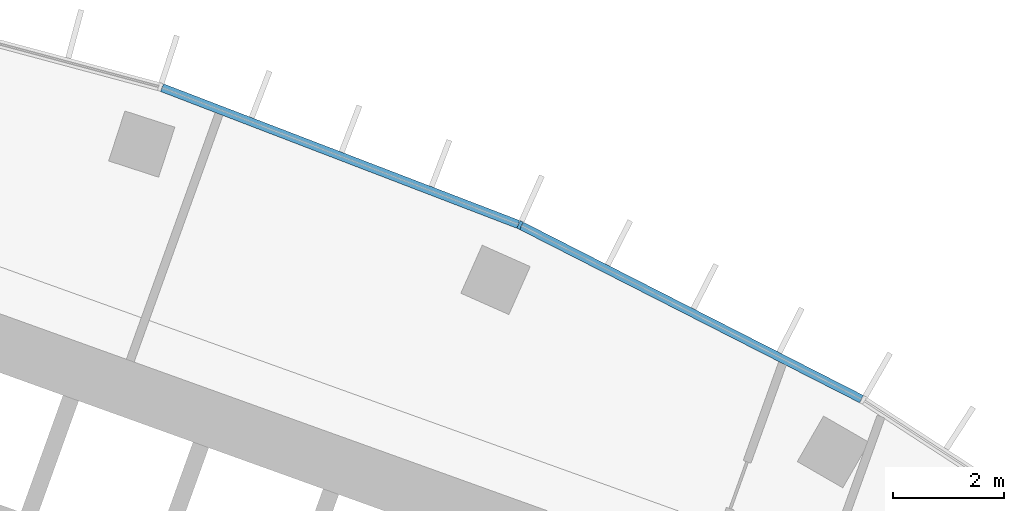
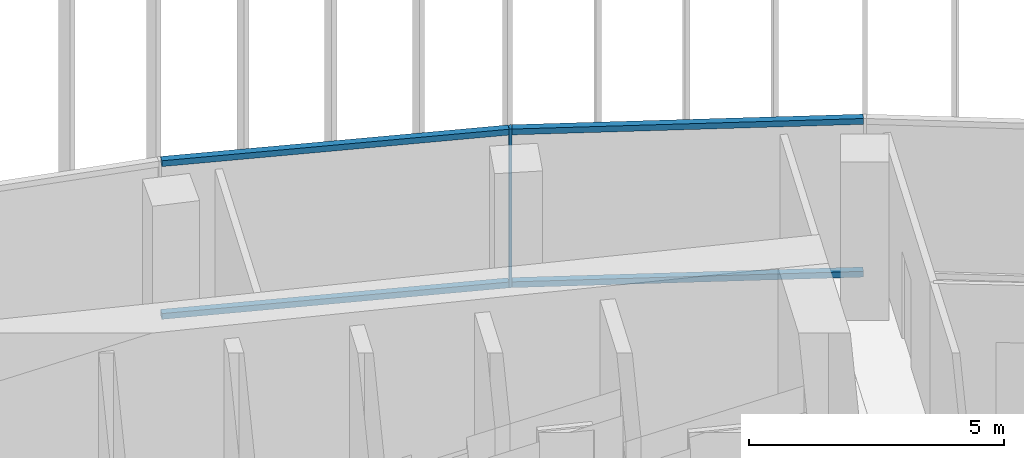
# One storey, part 10 of 19: 5 members, 1 element without a shape of its own.
"""IFC4 building model written with IfcOpenShell, lengths in metres."""

import ifcopenshell
import ifcopenshell.guid

model = None  # the IFC model being written
_history = None  # IfcOwnerHistory: only IFC2X3 demands one
_inside = {}  # id of a spatial element -> (the spatial element, [elements in it])
_under = {}  # id of a project, library or spatial element -> (it, [spatial elements below it])
_declared = {}  # id of a project -> (the project, [libraries it declares])
_typed = {}  # id of a type object -> (the type object, [elements of that type])
_made_of = {}  # id of a material, layer set ... -> (it, [elements and type objects made of it])


def new_model(schema):
    """Start an empty IFC model of exactly this schema.

    Asked for "IFC4X3", IfcOpenShell would pick the latest addendum, in which some entities
    have other attributes; the version numbers below select the first issue.
    IFC2X3 requires an IfcOwnerHistory on every rooted entity: one is made here for all.
    """
    global model, _history
    if schema == "IFC4X3":
        model = ifcopenshell.file(schema_version=(4, 3, 0, 0))
    else:
        model = ifcopenshell.file(schema=schema)
    _inside.clear()
    _under.clear()
    _declared.clear()
    _typed.clear()
    _made_of.clear()
    _history = None
    if model.schema == "IFC2X3":
        org = make("IfcOrganization", Name="unknown")
        user = make(
            "IfcPersonAndOrganization",
            ThePerson=make("IfcPerson", FamilyName="unknown"),
            TheOrganization=org,
        )
        app = make(
            "IfcApplication",
            ApplicationDeveloper=org,
            Version="unknown",
            ApplicationFullName="unknown",
            ApplicationIdentifier="unknown",
        )
        _history = make(
            "IfcOwnerHistory",
            OwningUser=user,
            OwningApplication=app,
            ChangeAction="ADDED",
            CreationDate=0,
        )
    return model


def make(cls, **values):
    """One entity of the class cls with the attributes given. An attribute that is None is left unset."""
    return model.create_entity(
        cls, **{name: value for name, value in values.items() if value is not None}
    )


def rooted(cls, **values):
    """An entity with a GlobalId (a new one), such as an element, a storey or a relation."""
    return make(cls, GlobalId=ifcopenshell.guid.new(), OwnerHistory=_history, **values)


def si_unit(unit_type, name, prefix=None):
    """IfcSIUnit, for example si_unit("LENGTHUNIT", "METRE", prefix="MILLI")."""
    return make("IfcSIUnit", UnitType=unit_type, Prefix=prefix, Name=name)


def assignment(units):
    """IfcUnitAssignment: the units of a project."""
    return None if units is None else make("IfcUnitAssignment", Units=units)


def point(xyz):
    """IfcCartesianPoint."""
    return None if xyz is None else make("IfcCartesianPoint", Coordinates=xyz)


def direction(xyz):
    """IfcDirection."""
    return None if xyz is None else make("IfcDirection", DirectionRatios=xyz)


def frame(location, z_axis=None, x_axis=None):
    """IfcAxis2Placement3D, a coordinate frame: its origin and axes. An axis left out is left unset."""
    return make(
        "IfcAxis2Placement3D",
        Location=point(location),
        Axis=direction(z_axis),
        RefDirection=direction(x_axis),
    )


def frame_2d(location, x_axis=None):
    """IfcAxis2Placement2D, a coordinate frame in the plane: its origin and x axis."""
    return make(
        "IfcAxis2Placement2D", Location=point(location), RefDirection=direction(x_axis)
    )


def origin():
    """The frame at (0, 0, 0) with its axes left unset."""
    return frame((0.0, 0.0, 0.0))


def origin_2d():
    """The frame at (0, 0) in the plane with its x axis left unset."""
    return frame_2d((0.0, 0.0))


def place(relative_to, where):
    """IfcLocalPlacement: puts the frame where relative to a parent placement (None: the world)."""
    return make(
        "IfcLocalPlacement", PlacementRelTo=relative_to, RelativePlacement=where
    )


def context(
    kind, dimensions, precision=None, world=None, true_north=None, identifier=None
):
    """IfcGeometricRepresentationContext, for example the 3D "Model" context."""
    return make(
        "IfcGeometricRepresentationContext",
        ContextIdentifier=identifier,
        ContextType=kind,
        CoordinateSpaceDimension=dimensions,
        Precision=precision,
        WorldCoordinateSystem=world,
        TrueNorth=true_north,
    )


def subcontext(parent, identifier, kind, view, scale=None):
    """IfcGeometricRepresentationSubContext, for example "Body" below "Model"."""
    return make(
        "IfcGeometricRepresentationSubContext",
        ContextIdentifier=identifier,
        ContextType=kind,
        ParentContext=parent,
        TargetScale=scale,
        TargetView=view,
    )


def project(units=None, contexts=None):
    """IfcProject with its units and contexts."""
    return rooted(
        "IfcProject",
        Name="project",
        RepresentationContexts=contexts,
        UnitsInContext=assignment(units),
    )


def spatial(cls, under=None, at=None, **own):
    """A site, building, storey or space (cls), placed at a placement, below another one or the project."""
    s = rooted(cls, ObjectPlacement=at, **own)
    if under is not None:
        _under.setdefault(under.id(), (under, []))[1].append(s)
    return s


def profile(cls, at=None, kind="AREA", **sizes):
    """A parametric profile (cls). Its sizes go by their IFC names, for example OverallWidth=200.0."""
    return make(cls, ProfileType=kind, Position=at, **sizes)


def rectangle(**sizes):
    """IfcRectangleProfileDef."""
    return profile("IfcRectangleProfileDef", **sizes)


def extrude(swept, where, along, depth):
    """IfcExtrudedAreaSolid: the profile swept, set in the frame where, extruded along a direction by depth."""
    return make(
        "IfcExtrudedAreaSolid",
        SweptArea=swept,
        Position=where,
        ExtrudedDirection=direction(along),
        Depth=depth,
    )


def shape(context_of_items, identifier, shape_type, items):
    """IfcShapeRepresentation: the items that make up one representation, for example the "Body"."""
    return make(
        "IfcShapeRepresentation",
        ContextOfItems=context_of_items,
        RepresentationIdentifier=identifier,
        RepresentationType=shape_type,
        Items=items,
    )


def material(Name=None, Category=None):
    """IfcMaterial."""
    return make("IfcMaterial", Name=Name, Category=Category)


def layer(
    of_material, thickness, ventilated=None, Name=None, Category=None, Priority=None
):
    """IfcMaterialLayer: one layer of a wall or slab, of a material (None: an air gap)."""
    return make(
        "IfcMaterialLayer",
        Material=of_material,
        LayerThickness=thickness,
        IsVentilated=ventilated,
        Name=Name,
        Category=Category,
        Priority=Priority,
    )


def layer_set(layers, Name=None):
    """IfcMaterialLayerSet."""
    return make("IfcMaterialLayerSet", MaterialLayers=layers, LayerSetName=Name)


def material_profile(
    of_material, cross_section, Name=None, Category=None, Priority=None
):
    """IfcMaterialProfile: a cross section and its material."""
    return make(
        "IfcMaterialProfile",
        Name=Name,
        Material=of_material,
        Profile=cross_section,
        Priority=Priority,
        Category=Category,
    )


def profile_set(profiles, Name=None, composite=None):
    """IfcMaterialProfileSet."""
    return make(
        "IfcMaterialProfileSet",
        Name=Name,
        MaterialProfiles=profiles,
        CompositeProfile=composite,
    )


def made_of(thing, what):
    """Note that an element or type object is made of a material, layer set ...; save() writes the relation."""
    if what is not None:
        _made_of.setdefault(what.id(), (what, []))[1].append(thing)
    return thing


def type_object(cls, material=None, **own):
    """A type object (cls), such as IfcWallType, which elements share."""
    return made_of(rooted(cls, **own), material)


def element(
    cls,
    number,
    at=None,
    inside=None,
    cuts=None,
    type_object=None,
    material=None,
    context=None,
    identifier="Body",
    shape_type=None,
    held_by="IfcProductDefinitionShape",
    body=None,
    shapes=None,
    **own,
):
    """One element of the class cls, such as IfcWall. Its Tag is "e" and its number.

    at: its placement. inside: the storey or other place that contains it. cuts: it is an
    opening in that element (IfcRelVoidsElement). A single representation is given by context,
    identifier, shape_type and body (its items); several are given by shapes. held_by: the class
    of the entity that holds the representations. save() writes the other relations.
    """
    e = rooted(cls, Tag="e%d" % number, ObjectPlacement=at, **own)
    if body is not None:
        shapes = [shape(context, identifier, shape_type, body)]
    if shapes is not None:
        e.Representation = make(held_by, Representations=shapes)
    if inside is not None:
        _inside.setdefault(inside.id(), (inside, []))[1].append(e)
    if cuts is not None:
        rooted(
            "IfcRelVoidsElement", RelatingBuildingElement=cuts, RelatedOpeningElement=e
        )
    if type_object is not None:
        _typed.setdefault(type_object.id(), (type_object, []))[1].append(e)
    return made_of(e, material)


def aggregate(whole, parts):
    """IfcRelAggregates: a whole, such as a stair, and the parts it consists of."""
    return rooted("IfcRelAggregates", RelatingObject=whole, RelatedObjects=parts)


def save(model, path):
    """Write the relations noted so far, then the file.

    IfcRelAggregates (storeys below a building ...), IfcRelContainedInSpatialStructure (elements
    in a storey), IfcRelDefinesByType, IfcRelAssociatesMaterial and IfcRelDeclares: one each for
    every whole, place, type object, material and project.
    """
    for whole, parts in _under.values():
        aggregate(whole, parts)
    for where, things in _inside.values():
        rooted(
            "IfcRelContainedInSpatialStructure",
            RelatedElements=things,
            RelatingStructure=where,
        )
    for kind, things in _typed.values():
        rooted("IfcRelDefinesByType", RelatedObjects=things, RelatingType=kind)
    for what, things in _made_of.values():
        rooted("IfcRelAssociatesMaterial", RelatedObjects=things, RelatingMaterial=what)
    for by, libraries in _declared.values():
        rooted("IfcRelDeclares", RelatingContext=by, RelatedDefinitions=libraries)
    model.write(path)


model = new_model("IFC4")

# Units and contexts
model_context = context("Model", 3, precision=1e-05, world=origin(), true_north=direction((0.0, 1.0)))
body_context = subcontext(model_context, "Body", "Model", "MODEL_VIEW")
ifc_project = project(units=[si_unit("LENGTHUNIT", "METRE"), si_unit("AREAUNIT", "SQUARE_METRE"), si_unit("VOLUMEUNIT", "CUBIC_METRE"), si_unit("PLANEANGLEUNIT", "RADIAN"), si_unit("MASSUNIT", "GRAM", prefix="KILO")], contexts=[model_context])

# Site, building, storey
site_placement = place(None, origin())
site = spatial("IfcSite", under=ifc_project, at=site_placement, CompositionType="ELEMENT")
building_placement = place(site_placement, origin())
building = spatial("IfcBuilding", under=site, at=building_placement, Name="Stone Belt Terrace Tower", CompositionType="ELEMENT")
storey_placement = place(building_placement, frame((0.0, 0.0, 235.199951171875)))
storey = spatial("IfcBuildingStorey", under=building, at=storey_placement, Name="L57", CompositionType="ELEMENT", Elevation=235.199951171875)

# Curtain wall, members
ifc_material = material(Name="Aluminium 6063-T6 anodised frame", Category="aluminium")
ifc_layer = layer(ifc_material, 0.14990234375)
ifc_layer_set = layer_set([ifc_layer], Name="CW-A unitised convex-face curtain wall")
curtain_wall_type = type_object("IfcCurtainWallType", Name="CW-A unitised convex-face curtain wall", PredefinedType="NOTDEFINED", material=ifc_layer_set)
curtain_wall_placement = place(storey_placement, origin())
curtain_wall = element("IfcCurtainWall", 1, at=curtain_wall_placement, inside=storey, type_object=curtain_wall_type, Name="CW-A convex face L57", PredefinedType="NOTDEFINED")
ifc_material_profile_1 = material_profile(ifc_material, rectangle(XDim=0.14990234375, YDim=0.06005859375, at=origin_2d()), Name="Aluminium 6063-T6 60x150")
ifc_profile_set_1 = profile_set([ifc_material_profile_1], Name="Aluminium 6063-T6 anodised frame")
member_type_1 = type_object("IfcMemberType", Name="CW-A mullion 60 x 150", PredefinedType="MULLION", material=ifc_profile_set_1)
member_1_placement = place(storey_placement, frame((27.07861328125, 60.8193359375, 0.0), z_axis=(0.0, 0.0, 1.0), x_axis=(-0.406736643076, -0.913545457643, 0.0)))
member_1 = element("IfcMember", 2, at=member_1_placement, type_object=member_type_1, Name="CW-A mullion 5", PredefinedType="MULLION", context=body_context, shape_type="SweptSolid", body=[
    extrude(rectangle(XDim=0.14990234375, YDim=0.06005859375, at=origin_2d()), origin(), (0.0, 0.0, 1.0), 3.800048828125),
])
ifc_material_profile_2 = material_profile(ifc_material, rectangle(XDim=0.14990234375, YDim=0.139892578125, at=origin_2d()), Name="Aluminium 6063-T6 150x140")
ifc_profile_set_2 = profile_set([ifc_material_profile_2], Name="Aluminium 6063-T6 anodised frame")
member_type_2 = type_object("IfcMemberType", Name="CW-A transom 140 x 150", PredefinedType="USERDEFINED", material=ifc_profile_set_2)
member_2_placement = place(storey_placement, frame((33.25732421875, 57.671142578125, 0.070068359375), z_axis=(-0.891012226264, 0.453979308613, 0.0), x_axis=(-0.453979308613, -0.891012226264, 0.0)))
member_2 = element("IfcMember", 3, at=member_2_placement, type_object=member_type_2, Name="CW-A transom 4.1", ObjectType="TRANSOM", PredefinedType="USERDEFINED", context=body_context, shape_type="SweptSolid", body=[
    extrude(rectangle(XDim=0.14990234375, YDim=0.139892578125, at=origin_2d()), origin(), (0.0, 0.0, 1.0), 6.90087890625),
])
member_3_placement = place(storey_placement, frame((33.25732421875, 57.671142578125, 3.72998046875), z_axis=(-0.891012226264, 0.453979308613, 0.0), x_axis=(-0.453979308613, -0.891012226264, 0.0)))
member_3 = element("IfcMember", 4, at=member_3_placement, type_object=member_type_2, Name="CW-A transom 4.2", ObjectType="TRANSOM", PredefinedType="USERDEFINED", context=body_context, shape_type="SweptSolid", body=[
    extrude(rectangle(XDim=0.14990234375, YDim=0.139892578125, at=origin_2d()), origin(), (0.0, 0.0, 1.0), 6.90087890625),
])
member_4_placement = place(storey_placement, frame((27.046875, 60.83154296875, 0.070068359375), z_axis=(-0.933585210269, 0.358355487146, 0.0), x_axis=(-0.358355487146, -0.933585210269, 0.0)))
member_4 = element("IfcMember", 5, at=member_4_placement, type_object=member_type_2, Name="CW-A transom 5.1", ObjectType="TRANSOM", PredefinedType="USERDEFINED", context=body_context, shape_type="SweptSolid", body=[
    extrude(rectangle(XDim=0.14990234375, YDim=0.139892578125, at=origin_2d()), origin(), (0.0, 0.0, 1.0), 6.900634765625),
])
member_5_placement = place(storey_placement, frame((27.046875, 60.83154296875, 3.72998046875), z_axis=(-0.933585210269, 0.358355487146, 0.0), x_axis=(-0.358355487146, -0.933585210269, 0.0)))
member_5 = element("IfcMember", 6, at=member_5_placement, type_object=member_type_2, Name="CW-A transom 5.2", ObjectType="TRANSOM", PredefinedType="USERDEFINED", context=body_context, shape_type="SweptSolid", body=[
    extrude(rectangle(XDim=0.14990234375, YDim=0.139892578125, at=origin_2d()), origin(), (0.0, 0.0, 1.0), 6.900634765625),
])
aggregate(curtain_wall, [member_1, member_2, member_3, member_4, member_5])

save(model, "model.ifc")
